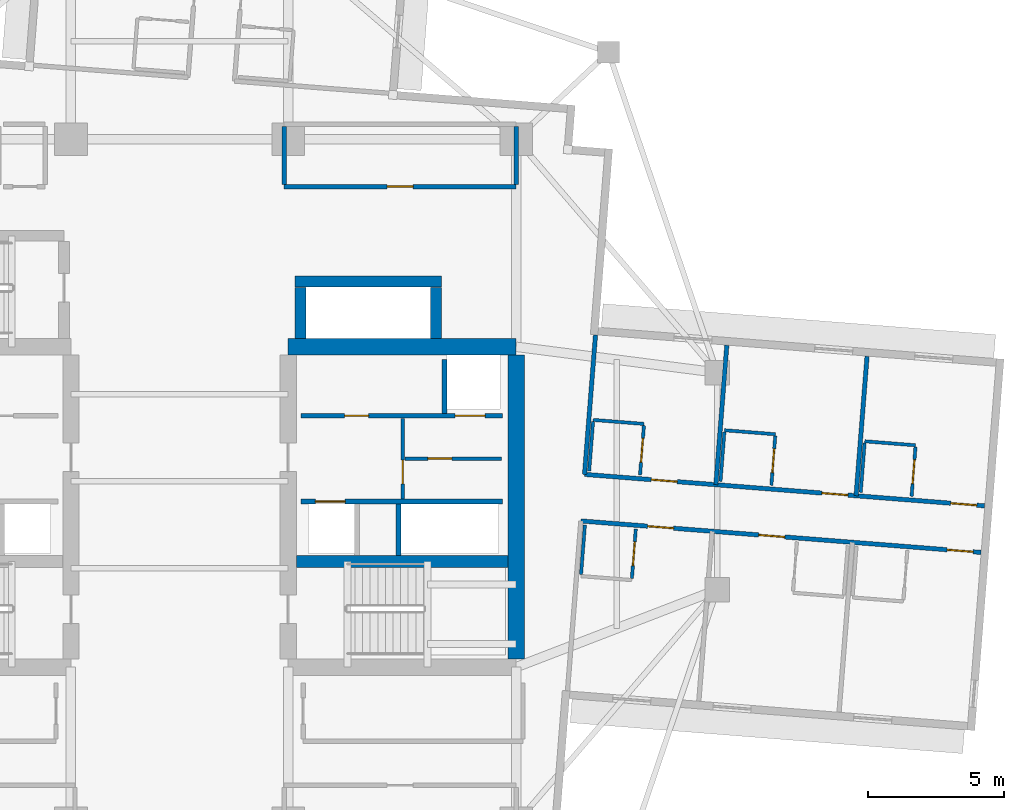
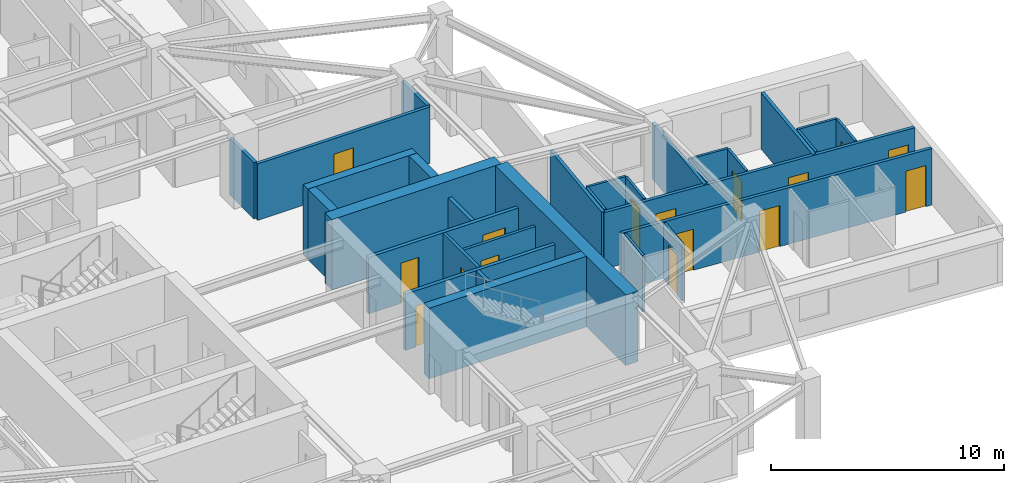
# One storey, part 7 of 14: 31 walls, 16 doors, 16 openings.
"""IFC4 building model written with IfcOpenShell, lengths in metres."""

from ifc_helpers import new_model, si_unit, direction, frame, frame_2d, origin, place, context, subcontext, project, spatial, rectangle, extrude, material, layer, layer_set, type_object, element, fill, save


model = new_model("IFC4")

# Units and contexts
model_context = context("Model", 3, precision=1e-05, world=origin(), true_north=direction((0.0, 1.0)))
body_context = subcontext(model_context, "Body", "Model", "MODEL_VIEW")
ifc_project = project(units=[si_unit("LENGTHUNIT", "METRE"), si_unit("AREAUNIT", "SQUARE_METRE"), si_unit("VOLUMEUNIT", "CUBIC_METRE"), si_unit("PLANEANGLEUNIT", "RADIAN"), si_unit("MASSUNIT", "GRAM", prefix="KILO")], contexts=[model_context])

# Site, building, storey
site_placement = place(None, origin())
site = spatial("IfcSite", under=ifc_project, at=site_placement, CompositionType="ELEMENT")
building_placement = place(site_placement, origin())
building = spatial("IfcBuilding", under=site, at=building_placement, Name="Qingluan Cross Belvedere", CompositionType="ELEMENT")
storey_placement = place(building_placement, frame((0.0, 0.0, 164.39990234375)))
storey = spatial("IfcBuildingStorey", under=building, at=storey_placement, Name="L41", CompositionType="ELEMENT", Elevation=164.39990234375)

# Walls
ifc_material_1 = material(Name="Concrete C50", Category="concrete")
ifc_layer_1 = layer(ifc_material_1, 0.449951171875, Name="CoreShearWall_450")
ifc_layer_set_1 = layer_set([ifc_layer_1], Name="Concrete C50")
wall_type_1 = type_object("IfcWallType", Name="CoreShearWall_450", PredefinedType="SHEAR", material=ifc_layer_set_1)
wall_1_placement = place(storey_placement, frame((4.304931640625, -2.9599609375, 0.0), z_axis=(0.0, 0.0, 1.0), x_axis=(1.0, 0.0, 0.0)))
element("IfcWall", 1, at=wall_1_placement, inside=storey, type_object=wall_type_1, Name="Split core E shear wall L41-M", PredefinedType="SHEAR", context=body_context, shape_type="SweptSolid", body=[
    extrude(rectangle(XDim=7.7900390625, YDim=0.449951171875, at=frame_2d((3.89501953125, 0.0))), origin(), (0.0, 0.0, 1.0), 3.7001953125),
])
wall_2_placement = place(storey_placement, frame((4.449951171875, 5.2548828125, 0.0), z_axis=(0.0, 0.0, 1.0), x_axis=(0.0, 1.0, 0.0)))
element("IfcWall", 2, at=wall_2_placement, inside=storey, type_object=wall_type_1, Name="Express shuttle core wall L41-W", PredefinedType="SHEAR", context=body_context, shape_type="SweptSolid", body=[
    extrude(rectangle(XDim=1.885009765625, YDim=0.39990234375, at=frame_2d((0.9423828125, 0.0))), origin(), (0.0, 0.0, 1.0), 3.7001953125),
])
wall_3_placement = place(storey_placement, frame((4.25, 7.35009765625, 0.0), z_axis=(0.0, 0.0, 1.0), x_axis=(1.0, 0.0, 0.0)))
element("IfcWall", 3, at=wall_3_placement, inside=storey, type_object=wall_type_1, Name="Express shuttle core wall L41-N", PredefinedType="SHEAR", context=body_context, shape_type="SweptSolid", body=[
    extrude(rectangle(XDim=5.39990234375, YDim=0.39990234375, at=frame_2d((2.699951171875, 0.0))), origin(), (0.0, 0.0, 1.0), 3.7001953125),
])
wall_4_placement = place(storey_placement, frame((9.449951171875, 5.2548828125, 0.0), z_axis=(0.0, 0.0, 1.0), x_axis=(0.0, 1.0, 0.0)))
element("IfcWall", 4, at=wall_4_placement, inside=storey, type_object=wall_type_1, Name="Express shuttle core wall L41-E", PredefinedType="SHEAR", context=body_context, shape_type="SweptSolid", body=[
    extrude(rectangle(XDim=1.885009765625, YDim=0.39990234375, at=frame_2d((0.9423828125, 0.0))), origin(), (0.0, 0.0, 1.0), 3.7001953125),
])
ifc_material_2 = material(Name="Concrete C60", Category="concrete")
ifc_layer_2 = layer(ifc_material_2, 0.60009765625, Name="CoreShearWall_600")
ifc_layer_set_2 = layer_set([ifc_layer_2], Name="Concrete C60")
wall_type_2 = type_object("IfcWallType", Name="CoreShearWall_600", PredefinedType="SHEAR", material=ifc_layer_set_2)
wall_5_placement = place(storey_placement, frame((4.0, 4.949951171875, 0.0), z_axis=(0.0, 0.0, 1.0), x_axis=(1.0, 0.0, 0.0)))
element("IfcWall", 5, at=wall_5_placement, inside=storey, type_object=wall_type_2, Name="Split core E shear wall L41-N", PredefinedType="SHEAR", context=body_context, shape_type="SweptSolid", body=[
    extrude(rectangle(XDim=8.39990234375, YDim=0.60009765625, at=frame_2d((4.199951171875, 0.0))), origin(), (0.0, 0.0, 1.0), 3.7001953125),
])
wall_6_placement = place(storey_placement, frame((12.39990234375, -6.544921875, 0.0), z_axis=(0.0, 0.0, 1.0), x_axis=(0.0, 1.0, 0.0)))
element("IfcWall", 6, at=wall_6_placement, inside=storey, type_object=wall_type_2, Name="Split core E shear wall L41-E", PredefinedType="SHEAR", context=body_context, shape_type="SweptSolid", body=[
    extrude(rectangle(XDim=11.18994140625, YDim=0.60009765625, at=frame_2d((5.594970703125, 0.0))), origin(), (0.0, 0.0, 1.0), 3.7001953125),
])

# Wall, opening, door
ifc_material_3 = material(Name="Gypsum plasterboard on steel stud acoustic partition", Category="steel")
ifc_layer_3 = layer(ifc_material_3, 0.159912109375, Name="CorridorPartition_160")
ifc_layer_set_3 = layer_set([ifc_layer_3], Name="Gypsum plasterboard on steel stud acoustic partition")
wall_type_3 = type_object("IfcWallType", Name="CorridorPartition_160", PredefinedType="PARTITIONING", material=ifc_layer_set_3)
wall_7_placement = place(storey_placement, frame((8.298095703125, 0.830078125, 0.0), z_axis=(0.0, 0.0, 1.0), x_axis=(1.0, 0.0, 0.0)))
wall_7 = element("IfcWall", 7, at=wall_7_placement, inside=storey, type_object=wall_type_3, Name="Partition L41:e", PredefinedType="PARTITIONING", context=body_context, shape_type="SweptSolid", body=[
    extrude(rectangle(XDim=3.552001953125, YDim=0.139892578125, at=frame_2d((1.77587890625, 0.0))), origin(), (0.0, 0.0, 1.0), 2.960205078125),
])
opening_1_placement = place(wall_7_placement, frame((0.85009765625, 0.0, 0.0)))
opening_1 = element("IfcOpeningElement", 8, at=opening_1_placement, cuts=wall_7, Name="Opening FD-B10", PredefinedType="OPENING", context=body_context, shape_type="SweptSolid", body=[
    extrude(rectangle(XDim=0.8798828125, YDim=2.10009765625, at=frame_2d((0.43994140625, 1.050048828125))), frame((0.0, 0.079833984375, 0.0), z_axis=(0.0, -1.0, 0.0), x_axis=(1.0, 0.0, 0.0)), (0.0, 0.0, 1.0), 0.159912109375),
])
ifc_material_4 = material(Name="Steel Class B service fire door", Category="steel")
door_type_1 = type_object("IfcDoorType", Name="RiserServiceFireDoor_FDB", OperationType="NOTDEFINED", PredefinedType="DOOR", material=ifc_material_4)
door_1_placement = place(opening_1_placement, origin())
door_1 = element("IfcDoor", 9, at=door_1_placement, inside=storey, type_object=door_type_1, Name="Service closet inner door L41", OperationType="SINGLE_SWING_LEFT", OverallHeight=2.10009765625, OverallWidth=0.8798828125, PredefinedType="DOOR", context=body_context, shape_type="SweptSolid", body=[
    extrude(rectangle(XDim=0.8798828125, YDim=2.10009765625, at=frame_2d((0.43994140625, 1.050048828125))), frame((0.0, 0.02490234375, 0.0), z_axis=(0.0, -1.0, 0.0), x_axis=(1.0, 0.0, 0.0)), (0.0, 0.0, 1.0), 0.050048828125),
])
fill(opening_1, door_1)

wall_8_placement = place(storey_placement, frame((3.85009765625, 10.85009765625, 0.0), z_axis=(0.0, 0.0, 1.0), x_axis=(1.0, 0.0, 0.0)))
wall_8 = element("IfcWall", 10, at=wall_8_placement, inside=storey, type_object=wall_type_3, Name="Partition L41:q_ne:S", PredefinedType="PARTITIONING", context=body_context, shape_type="SweptSolid", body=[
    extrude(rectangle(XDim=8.5498046875, YDim=0.159912109375, at=frame_2d((4.27490234375, 0.0))), origin(), (0.0, 0.0, 1.0), 2.960205078125),
])
opening_2_placement = place(wall_8_placement, frame((3.794921875, 0.0, 0.0)))
opening_2 = element("IfcOpeningElement", 11, at=opening_2_placement, cuts=wall_8, Name="Opening GD-10", PredefinedType="OPENING", context=body_context, shape_type="SweptSolid", body=[
    extrude(rectangle(XDim=0.9599609375, YDim=2.14990234375, at=frame_2d((0.47998046875, 1.074951171875))), frame((0.0, 0.08984375, 0.0), z_axis=(0.0, -1.0, 0.0), x_axis=(1.0, 0.0, 0.0)), (0.0, 0.0, 1.0), 0.179931640625),
])
ifc_material_5 = material(Name="Timber oak fire-rated acoustic guestroom door", Category="wood")
door_type_2 = type_object("IfcDoorType", Name="GuestEntryDoor_FD60", OperationType="NOTDEFINED", PredefinedType="DOOR", material=ifc_material_5)
door_2_placement = place(opening_2_placement, origin())
door_2 = element("IfcDoor", 12, at=door_2_placement, inside=storey, type_object=door_type_2, Name="Yangtze view dining salon L41 door", OperationType="SINGLE_SWING_LEFT", OverallHeight=2.14990234375, OverallWidth=0.9599609375, PredefinedType="DOOR", context=body_context, shape_type="SweptSolid", body=[
    extrude(rectangle(XDim=0.9599609375, YDim=2.14990234375, at=frame_2d((0.47998046875, 1.074951171875))), frame((0.0, 0.02490234375, 0.0), z_axis=(0.0, -1.0, 0.0), x_axis=(1.0, 0.0, 0.0)), (0.0, 0.0, 1.0), 0.050048828125),
])
fill(opening_2, door_2)

# Walls
for number, where, z_axis, x_axis, name in (
    (13, (3.85009765625, 10.93505859375, 0.0), (0.0, 0.0, 1.0), (0.0, 1.0, 0.0), "Partition L41:q_ne:W"),
    (14, (12.39990234375, 10.93505859375, 0.0), (0.0, 0.0, 1.0), (0.0, 1.0, 0.0), "Partition L41:q_ne:E"),
):
    element("IfcWall", number, at=place(storey_placement, frame(where, z_axis=z_axis, x_axis=x_axis)), inside=storey, type_object=wall_type_3, Name=name, PredefinedType="PARTITIONING", context=body_context, shape_type="SweptSolid", body=[
        extrude(rectangle(XDim=2.1298828125, YDim=0.159912109375, at=frame_2d((1.06494140625, 0.0))), origin(), (0.0, 0.0, 1.0), 2.960205078125),
    ])

# Wall, openings, doors
wall_9_placement = place(storey_placement, frame((14.91552734375, 0.25048828125, 0.0), z_axis=(0.0, 0.0, 1.0), x_axis=(0.996917997344, -0.078450663299, 0.0)))
wall_9 = element("IfcWall", 15, at=wall_9_placement, inside=storey, type_object=wall_type_3, Name="Partition L41:E:c0", PredefinedType="PARTITIONING", context=body_context, shape_type="SweptSolid", body=[
    extrude(rectangle(XDim=14.7822265625, YDim=0.159912109375, at=frame_2d((7.39111328125, 0.0))), origin(), (0.0, 0.0, 1.0), 2.960205078125),
])
opening_3_placement = place(wall_9_placement, frame((2.465087890625, 0.0, 0.0)))
opening_3 = element("IfcOpeningElement", 16, at=opening_3_placement, cuts=wall_9, Name="Opening GD-10", PredefinedType="OPENING", context=body_context, shape_type="SweptSolid", body=[
    extrude(rectangle(XDim=0.9599609375, YDim=2.14990234375, at=frame_2d((0.47998046875, 1.074951171875))), frame((0.0, 0.08984375, 0.0), z_axis=(0.0, -1.0, 0.0), x_axis=(1.0, 0.0, 0.0)), (0.0, 0.0, 1.0), 0.179931640625),
])
opening_4_placement = place(wall_9_placement, frame((8.77294921875, 0.0, 0.0)))
opening_4 = element("IfcOpeningElement", 17, at=opening_4_placement, cuts=wall_9, Name="Opening GD-10", PredefinedType="OPENING", context=body_context, shape_type="SweptSolid", body=[
    extrude(rectangle(XDim=0.9599609375, YDim=2.14990234375, at=frame_2d((0.47998046875, 1.074951171875))), frame((0.0, 0.08984375, 0.0), z_axis=(0.0, -1.0, 0.0), x_axis=(1.0, 0.0, 0.0)), (0.0, 0.0, 1.0), 0.179931640625),
])
opening_5_placement = place(wall_9_placement, frame((13.530029296875, 0.0, 0.0)))
opening_5 = element("IfcOpeningElement", 18, at=opening_5_placement, cuts=wall_9, Name="Opening GD-10", PredefinedType="OPENING", context=body_context, shape_type="SweptSolid", body=[
    extrude(rectangle(XDim=0.9599609375, YDim=2.14990234375, at=frame_2d((0.47998046875, 1.074951171875))), frame((0.0, 0.08984375, 0.0), z_axis=(0.0, -1.0, 0.0), x_axis=(1.0, 0.0, 0.0)), (0.0, 0.0, 1.0), 0.179931640625),
])
door_3_placement = place(opening_3_placement, origin())
door_3 = element("IfcDoor", 19, at=door_3_placement, inside=storey, type_object=door_type_2, Name="Guest entry fire door 4101", OperationType="SINGLE_SWING_RIGHT", OverallHeight=2.14990234375, OverallWidth=0.9599609375, PredefinedType="DOOR", context=body_context, shape_type="SweptSolid", body=[
    extrude(rectangle(XDim=0.9599609375, YDim=2.14990234375, at=frame_2d((0.47998046875, 1.074951171875))), frame((0.0, 0.02490234375, 0.0), z_axis=(0.0, -1.0, 0.0), x_axis=(1.0, 0.0, 0.0)), (0.0, 0.0, 1.0), 0.050048828125),
])
fill(opening_3, door_3)
door_4_placement = place(opening_4_placement, origin())
door_4 = element("IfcDoor", 20, at=door_4_placement, inside=storey, type_object=door_type_2, Name="Guest entry fire door 4102", OperationType="SINGLE_SWING_RIGHT", OverallHeight=2.14990234375, OverallWidth=0.9599609375, PredefinedType="DOOR", context=body_context, shape_type="SweptSolid", body=[
    extrude(rectangle(XDim=0.9599609375, YDim=2.14990234375, at=frame_2d((0.47998046875, 1.074951171875))), frame((0.0, 0.02490234375, 0.0), z_axis=(0.0, -1.0, 0.0), x_axis=(1.0, 0.0, 0.0)), (0.0, 0.0, 1.0), 0.050048828125),
])
fill(opening_4, door_4)
door_5_placement = place(opening_5_placement, origin())
door_5 = element("IfcDoor", 21, at=door_5_placement, inside=storey, type_object=door_type_2, Name="Guest entry fire door 4103", OperationType="SINGLE_SWING_RIGHT", OverallHeight=2.14990234375, OverallWidth=0.9599609375, PredefinedType="DOOR", context=body_context, shape_type="SweptSolid", body=[
    extrude(rectangle(XDim=0.9599609375, YDim=2.14990234375, at=frame_2d((0.47998046875, 1.074951171875))), frame((0.0, 0.02490234375, 0.0), z_axis=(0.0, -1.0, 0.0), x_axis=(1.0, 0.0, 0.0)), (0.0, 0.0, 1.0), 0.050048828125),
])
fill(opening_5, door_5)

# Walls
for number, where, z_axis, x_axis, name in (
    (22, (14.91552734375, 0.25048828125, 0.0), (0.0, 0.0, 1.0), (0.078471975752, 0.99691631997, 0.0), "Partition L41:E:s0"),
    (23, (19.752685546875, -0.130126953125, 0.0), (0.0, 0.0, 1.0), (0.078471975752, 0.99691631997, 0.0), "Partition L41:E:d0_0"),
    (24, (24.917724609375, -0.53662109375, 0.0), (0.0, 0.0, 1.0), (0.078471975752, 0.99691631997, 0.0), "Partition L41:E:d0_1"),
):
    element("IfcWall", number, at=place(storey_placement, frame(where, z_axis=z_axis, x_axis=x_axis)), inside=storey, type_object=wall_type_3, Name=name, PredefinedType="PARTITIONING", context=body_context, shape_type="SweptSolid", body=[
        extrude(rectangle(XDim=5.152099609375, YDim=0.159912109375, at=frame_2d((2.576171875, 0.0))), origin(), (0.0, 0.0, 1.0), 2.960205078125),
    ])

# Wall, openings, doors
wall_10_placement = place(storey_placement, frame((14.78076171875, -1.464111328125, 0.0), z_axis=(0.0, 0.0, 1.0), x_axis=(0.996916603826, -0.078468369529, 0.0)))
wall_10 = element("IfcWall", 25, at=wall_10_placement, inside=storey, type_object=wall_type_3, Name="Partition L41:E:c1", PredefinedType="PARTITIONING", context=body_context, shape_type="SweptSolid", body=[
    extrude(rectangle(XDim=14.781982421875, YDim=0.159912109375, at=frame_2d((7.39111328125, 0.0))), origin(), (0.0, 0.0, 1.0), 2.960205078125),
])
opening_6_placement = place(wall_10_placement, frame((2.465087890625, 0.0, 0.0)))
opening_6 = element("IfcOpeningElement", 26, at=opening_6_placement, cuts=wall_10, Name="Opening GD-10", PredefinedType="OPENING", context=body_context, shape_type="SweptSolid", body=[
    extrude(rectangle(XDim=0.9599609375, YDim=2.14990234375, at=frame_2d((0.47998046875, 1.074951171875))), frame((0.0, 0.08984375, 0.0), z_axis=(0.0, -1.0, 0.0), x_axis=(1.0, 0.0, 0.0)), (0.0, 0.0, 1.0), 0.179931640625),
])
opening_7_placement = place(wall_10_placement, frame((6.574951171875, 0.0, 0.0)))
opening_7 = element("IfcOpeningElement", 27, at=opening_7_placement, cuts=wall_10, Name="Opening GD-10", PredefinedType="OPENING", context=body_context, shape_type="SweptSolid", body=[
    extrude(rectangle(XDim=0.9599609375, YDim=2.14990234375, at=frame_2d((0.47998046875, 1.074951171875))), frame((0.0, 0.08984375, 0.0), z_axis=(0.0, -1.0, 0.0), x_axis=(1.0, 0.0, 0.0)), (0.0, 0.0, 1.0), 0.179931640625),
])
opening_8_placement = place(wall_10_placement, frame((13.530029296875, 0.0, 0.0)))
opening_8 = element("IfcOpeningElement", 28, at=opening_8_placement, cuts=wall_10, Name="Opening GD-10", PredefinedType="OPENING", context=body_context, shape_type="SweptSolid", body=[
    extrude(rectangle(XDim=0.9599609375, YDim=2.14990234375, at=frame_2d((0.47998046875, 1.074951171875))), frame((0.0, 0.08984375, 0.0), z_axis=(0.0, -1.0, 0.0), x_axis=(1.0, 0.0, 0.0)), (0.0, 0.0, 1.0), 0.179931640625),
])
door_6_placement = place(opening_6_placement, origin())
door_6 = element("IfcDoor", 29, at=door_6_placement, inside=storey, type_object=door_type_2, Name="Guest entry fire door 4104", OperationType="SINGLE_SWING_RIGHT", OverallHeight=2.14990234375, OverallWidth=0.9599609375, PredefinedType="DOOR", context=body_context, shape_type="SweptSolid", body=[
    extrude(rectangle(XDim=0.9599609375, YDim=2.14990234375, at=frame_2d((0.47998046875, 1.074951171875))), frame((0.0, 0.02490234375, 0.0), z_axis=(0.0, -1.0, 0.0), x_axis=(1.0, 0.0, 0.0)), (0.0, 0.0, 1.0), 0.050048828125),
])
fill(opening_6, door_6)
door_7_placement = place(opening_7_placement, origin())
door_7 = element("IfcDoor", 30, at=door_7_placement, inside=storey, type_object=door_type_2, Name="Guest entry fire door 4105", OperationType="SINGLE_SWING_RIGHT", OverallHeight=2.14990234375, OverallWidth=0.9599609375, PredefinedType="DOOR", context=body_context, shape_type="SweptSolid", body=[
    extrude(rectangle(XDim=0.9599609375, YDim=2.14990234375, at=frame_2d((0.47998046875, 1.074951171875))), frame((0.0, 0.02490234375, 0.0), z_axis=(0.0, -1.0, 0.0), x_axis=(1.0, 0.0, 0.0)), (0.0, 0.0, 1.0), 0.050048828125),
])
fill(opening_7, door_7)
door_8_placement = place(opening_8_placement, origin())
door_8 = element("IfcDoor", 31, at=door_8_placement, inside=storey, type_object=door_type_2, Name="Guest entry fire door 4106", OperationType="SINGLE_SWING_RIGHT", OverallHeight=2.14990234375, OverallWidth=0.9599609375, PredefinedType="DOOR", context=body_context, shape_type="SweptSolid", body=[
    extrude(rectangle(XDim=0.9599609375, YDim=2.14990234375, at=frame_2d((0.47998046875, 1.074951171875))), frame((0.0, 0.02490234375, 0.0), z_axis=(0.0, -1.0, 0.0), x_axis=(1.0, 0.0, 0.0)), (0.0, 0.0, 1.0), 0.050048828125),
])
fill(opening_8, door_8)

# Wall, opening, door
ifc_material_6 = material(Name="Moisture-resistant gypsum board lining")
ifc_layer_4 = layer(ifc_material_6, 0.1201171875, Name="EnsuiteWetPartition_120")
ifc_layer_set_4 = layer_set([ifc_layer_4], Name="Moisture-resistant gypsum board lining")
wall_type_4 = type_object("IfcWallType", Name="EnsuiteWetPartition_120", PredefinedType="PARTITIONING", material=ifc_layer_set_4)
wall_11_placement = place(storey_placement, frame((16.960205078125, 0.22998046875, 0.0), z_axis=(0.0, 0.0, 1.0), x_axis=(0.0784709492, 0.996916400774, 0.0)))
wall_11 = element("IfcWall", 32, at=wall_11_placement, inside=storey, type_object=wall_type_4, Name="Partition L41:E:bs0_0", PredefinedType="PARTITIONING", context=body_context, shape_type="SweptSolid", body=[
    extrude(rectangle(XDim=1.820068359375, YDim=0.1201171875, at=frame_2d((0.91015625, 0.0))), origin(), (0.0, 0.0, 1.0), 2.960205078125),
])
opening_9_placement = place(wall_11_placement, frame((0.469970703125, 0.0, 0.0)))
opening_9 = element("IfcOpeningElement", 33, at=opening_9_placement, cuts=wall_11, Name="Opening BD-09", PredefinedType="OPENING", context=body_context, shape_type="SweptSolid", body=[
    extrude(rectangle(XDim=0.8798828125, YDim=2.10009765625, at=frame_2d((0.43994140625, 1.050048828125))), frame((0.0, 0.070068359375, 0.0), z_axis=(0.0, -1.0, 0.0), x_axis=(1.0, 0.0, 0.0)), (0.0, 0.0, 1.0), 0.14013671875),
])
ifc_material_7 = material(Name="Moisture-sealed timber en-suite door", Category="wood")
door_type_3 = type_object("IfcDoorType", Name="BathroomDoor_880", OperationType="NOTDEFINED", PredefinedType="DOOR", material=ifc_material_7)
door_9_placement = place(opening_9_placement, origin())
door_9 = element("IfcDoor", 34, at=door_9_placement, inside=storey, type_object=door_type_3, Name="Bathroom door 4101", OperationType="SINGLE_SWING_LEFT", OverallHeight=2.10009765625, OverallWidth=0.8798828125, PredefinedType="DOOR", context=body_context, shape_type="SweptSolid", body=[
    extrude(rectangle(XDim=0.8798828125, YDim=2.10009765625, at=frame_2d((0.43994140625, 1.050048828125))), frame((0.0, 0.02490234375, 0.0), z_axis=(0.0, -1.0, 0.0), x_axis=(1.0, 0.0, 0.0)), (0.0, 0.0, 1.0), 0.050048828125),
])
fill(opening_9, door_9)

# Walls
wall_12_placement = place(storey_placement, frame((15.086181640625, 0.37744140625, 0.0), z_axis=(0.0, 0.0, 1.0), x_axis=(0.0784709492, 0.996916400774, 0.0)))
element("IfcWall", 35, at=wall_12_placement, inside=storey, type_object=wall_type_4, Name="Partition L41:E:bw0_0", PredefinedType="PARTITIONING", context=body_context, shape_type="SweptSolid", body=[
    extrude(rectangle(XDim=1.820068359375, YDim=0.1201171875, at=frame_2d((0.91015625, 0.0))), origin(), (0.0, 0.0, 1.0), 2.960205078125),
])
wall_13_placement = place(storey_placement, frame((15.23388671875, 2.256591796875, 0.0), z_axis=(0.0, 0.0, 1.0), x_axis=(0.996919293781, -0.07843418698, 0.0)))
element("IfcWall", 36, at=wall_13_placement, inside=storey, type_object=wall_type_4, Name="Partition L41:E:bn0_0", PredefinedType="PARTITIONING", context=body_context, shape_type="SweptSolid", body=[
    extrude(rectangle(XDim=1.880126953125, YDim=0.1201171875, at=frame_2d((0.93994140625, 0.0))), origin(), (0.0, 0.0, 1.0), 2.960205078125),
])

# Wall, opening, door
wall_14_placement = place(storey_placement, frame((21.79736328125, -0.150634765625, 0.0), z_axis=(0.0, 0.0, 1.0), x_axis=(0.0784709492, 0.996916400774, 0.0)))
wall_14 = element("IfcWall", 37, at=wall_14_placement, inside=storey, type_object=wall_type_4, Name="Partition L41:E:bs0_1", PredefinedType="PARTITIONING", context=body_context, shape_type="SweptSolid", body=[
    extrude(rectangle(XDim=1.820068359375, YDim=0.1201171875, at=frame_2d((0.91015625, 0.0))), origin(), (0.0, 0.0, 1.0), 2.960205078125),
])
opening_10_placement = place(wall_14_placement, frame((0.469970703125, 0.0, 0.0)))
opening_10 = element("IfcOpeningElement", 38, at=opening_10_placement, cuts=wall_14, Name="Opening BD-09", PredefinedType="OPENING", context=body_context, shape_type="SweptSolid", body=[
    extrude(rectangle(XDim=0.8798828125, YDim=2.10009765625, at=frame_2d((0.43994140625, 1.050048828125))), frame((0.0, 0.070068359375, 0.0), z_axis=(0.0, -1.0, 0.0), x_axis=(1.0, 0.0, 0.0)), (0.0, 0.0, 1.0), 0.14013671875),
])
door_10_placement = place(opening_10_placement, origin())
door_10 = element("IfcDoor", 39, at=door_10_placement, inside=storey, type_object=door_type_3, Name="Bathroom door 4102", OperationType="SINGLE_SWING_LEFT", OverallHeight=2.10009765625, OverallWidth=0.8798828125, PredefinedType="DOOR", context=body_context, shape_type="SweptSolid", body=[
    extrude(rectangle(XDim=0.8798828125, YDim=2.10009765625, at=frame_2d((0.43994140625, 1.050048828125))), frame((0.0, 0.02490234375, 0.0), z_axis=(0.0, -1.0, 0.0), x_axis=(1.0, 0.0, 0.0)), (0.0, 0.0, 1.0), 0.050048828125),
])
fill(opening_10, door_10)

# Walls
wall_15_placement = place(storey_placement, frame((19.923095703125, -0.003173828125, 0.0), z_axis=(0.0, 0.0, 1.0), x_axis=(0.0784709492, 0.996916400774, 0.0)))
element("IfcWall", 40, at=wall_15_placement, inside=storey, type_object=wall_type_4, Name="Partition L41:E:bw0_1", PredefinedType="PARTITIONING", context=body_context, shape_type="SweptSolid", body=[
    extrude(rectangle(XDim=1.820068359375, YDim=0.1201171875, at=frame_2d((0.91015625, 0.0))), origin(), (0.0, 0.0, 1.0), 2.960205078125),
])
wall_16_placement = place(storey_placement, frame((20.071044921875, 1.8759765625, 0.0), z_axis=(0.0, 0.0, 1.0), x_axis=(0.996919293781, -0.07843418698, 0.0)))
element("IfcWall", 41, at=wall_16_placement, inside=storey, type_object=wall_type_4, Name="Partition L41:E:bn0_1", PredefinedType="PARTITIONING", context=body_context, shape_type="SweptSolid", body=[
    extrude(rectangle(XDim=1.880126953125, YDim=0.1201171875, at=frame_2d((0.93994140625, 0.0))), origin(), (0.0, 0.0, 1.0), 2.960205078125),
])

# Wall, opening, door
wall_17_placement = place(storey_placement, frame((26.96240234375, -0.55712890625, 0.0), z_axis=(0.0, 0.0, 1.0), x_axis=(0.078481444107, 0.996915574626, 0.0)))
wall_17 = element("IfcWall", 42, at=wall_17_placement, inside=storey, type_object=wall_type_4, Name="Partition L41:E:bs0_2", PredefinedType="PARTITIONING", context=body_context, shape_type="SweptSolid", body=[
    extrude(rectangle(XDim=1.81982421875, YDim=0.1201171875, at=frame_2d((0.909912109375, 0.0))), origin(), (0.0, 0.0, 1.0), 2.960205078125),
])
opening_11_placement = place(wall_17_placement, frame((0.469970703125, 0.0, 0.0)))
opening_11 = element("IfcOpeningElement", 43, at=opening_11_placement, cuts=wall_17, Name="Opening BD-09", PredefinedType="OPENING", context=body_context, shape_type="SweptSolid", body=[
    extrude(rectangle(XDim=0.8798828125, YDim=2.10009765625, at=frame_2d((0.43994140625, 1.050048828125))), frame((0.0, 0.070068359375, 0.0), z_axis=(0.0, -1.0, 0.0), x_axis=(1.0, 0.0, 0.0)), (0.0, 0.0, 1.0), 0.14013671875),
])
door_11_placement = place(opening_11_placement, origin())
door_11 = element("IfcDoor", 44, at=door_11_placement, inside=storey, type_object=door_type_3, Name="Bathroom door 4103", OperationType="SINGLE_SWING_LEFT", OverallHeight=2.10009765625, OverallWidth=0.8798828125, PredefinedType="DOOR", context=body_context, shape_type="SweptSolid", body=[
    extrude(rectangle(XDim=0.8798828125, YDim=2.10009765625, at=frame_2d((0.43994140625, 1.050048828125))), frame((0.0, 0.02490234375, 0.0), z_axis=(0.0, -1.0, 0.0), x_axis=(1.0, 0.0, 0.0)), (0.0, 0.0, 1.0), 0.050048828125),
])
fill(opening_11, door_11)

# Walls
wall_18_placement = place(storey_placement, frame((25.088134765625, -0.40966796875, 0.0), z_axis=(0.0, 0.0, 1.0), x_axis=(0.0784709492, 0.996916400774, 0.0)))
element("IfcWall", 45, at=wall_18_placement, inside=storey, type_object=wall_type_4, Name="Partition L41:E:bw0_2", PredefinedType="PARTITIONING", context=body_context, shape_type="SweptSolid", body=[
    extrude(rectangle(XDim=1.820068359375, YDim=0.1201171875, at=frame_2d((0.91015625, 0.0))), origin(), (0.0, 0.0, 1.0), 2.960205078125),
])
wall_19_placement = place(storey_placement, frame((25.236083984375, 1.469482421875, 0.0), z_axis=(0.0, 0.0, 1.0), x_axis=(0.996919293781, -0.07843418698, 0.0)))
element("IfcWall", 46, at=wall_19_placement, inside=storey, type_object=wall_type_4, Name="Partition L41:E:bn0_2", PredefinedType="PARTITIONING", context=body_context, shape_type="SweptSolid", body=[
    extrude(rectangle(XDim=1.880126953125, YDim=0.1201171875, at=frame_2d((0.93994140625, 0.0))), origin(), (0.0, 0.0, 1.0), 2.960205078125),
])

# Wall, opening, door
wall_20_placement = place(storey_placement, frame((16.66064453125, -3.578125, 0.0), z_axis=(0.0, 0.0, 1.0), x_axis=(0.078481444107, 0.996915574626, 0.0)))
wall_20 = element("IfcWall", 47, at=wall_20_placement, inside=storey, type_object=wall_type_4, Name="Partition L41:E:bs1_0", PredefinedType="PARTITIONING", context=body_context, shape_type="SweptSolid", body=[
    extrude(rectangle(XDim=1.81982421875, YDim=0.1201171875, at=frame_2d((0.909912109375, 0.0))), origin(), (0.0, 0.0, 1.0), 2.960205078125),
])
opening_12_placement = place(wall_20_placement, frame((0.469970703125, 0.0, 0.0)))
opening_12 = element("IfcOpeningElement", 48, at=opening_12_placement, cuts=wall_20, Name="Opening BD-09", PredefinedType="OPENING", context=body_context, shape_type="SweptSolid", body=[
    extrude(rectangle(XDim=0.8798828125, YDim=2.10009765625, at=frame_2d((0.43994140625, 1.050048828125))), frame((0.0, 0.070068359375, 0.0), z_axis=(0.0, -1.0, 0.0), x_axis=(1.0, 0.0, 0.0)), (0.0, 0.0, 1.0), 0.14013671875),
])
door_12_placement = place(opening_12_placement, origin())
door_12 = element("IfcDoor", 49, at=door_12_placement, inside=storey, type_object=door_type_3, Name="Bathroom door 4104", OperationType="SINGLE_SWING_LEFT", OverallHeight=2.10009765625, OverallWidth=0.8798828125, PredefinedType="DOOR", context=body_context, shape_type="SweptSolid", body=[
    extrude(rectangle(XDim=0.8798828125, YDim=2.10009765625, at=frame_2d((0.43994140625, 1.050048828125))), frame((0.0, 0.02490234375, 0.0), z_axis=(0.0, -1.0, 0.0), x_axis=(1.0, 0.0, 0.0)), (0.0, 0.0, 1.0), 0.050048828125),
])
fill(opening_12, door_12)

# Wall
wall_21_placement = place(storey_placement, frame((14.786376953125, -3.4306640625, 0.0), z_axis=(0.0, 0.0, 1.0), x_axis=(0.0784709492, 0.996916400774, 0.0)))
element("IfcWall", 50, at=wall_21_placement, inside=storey, type_object=wall_type_4, Name="Partition L41:E:bw1_0", PredefinedType="PARTITIONING", context=body_context, shape_type="SweptSolid", body=[
    extrude(rectangle(XDim=1.820068359375, YDim=0.1201171875, at=frame_2d((0.91015625, 0.0))), origin(), (0.0, 0.0, 1.0), 2.960205078125),
])

# Wall, openings, doors
ifc_material_8 = material(Name="Concrete C40", Category="concrete")
ifc_layer_5 = layer(ifc_material_8, 0.219970703125, Name="ShaftEnclosureWall_250")
ifc_layer_set_5 = layer_set([ifc_layer_5], Name="Concrete C40")
wall_type_5 = type_object("IfcWallType", Name="ShaftEnclosureWall_250", PredefinedType="SOLIDWALL", material=ifc_layer_set_5)
wall_22_placement = place(storey_placement, frame((4.47998046875, 2.409912109375, 0.0), z_axis=(0.0, 0.0, 1.0), x_axis=(1.0, 0.0, 0.0)))
wall_22 = element("IfcWall", 51, at=wall_22_placement, inside=storey, type_object=wall_type_5, Name="Core-E north hoistway wall L41", PredefinedType="SOLIDWALL", context=body_context, shape_type="SweptSolid", body=[
    extrude(rectangle(XDim=7.419921875, YDim=0.179931640625, at=frame_2d((3.7099609375, 0.0))), origin(), (0.0, 0.0, 1.0), 2.960205078125),
])
opening_13_placement = place(wall_22_placement, frame((5.669921875, 0.0, 0.0)))
opening_13 = element("IfcOpeningElement", 52, at=opening_13_placement, cuts=wall_22, Name="Opening LD-11", PredefinedType="OPENING", context=body_context, shape_type="SweptSolid", body=[
    extrude(rectangle(XDim=1.10009765625, YDim=2.14990234375, at=frame_2d((0.550048828125, 1.074951171875))), frame((0.0, 0.099853515625, 0.0), z_axis=(0.0, -1.0, 0.0), x_axis=(1.0, 0.0, 0.0)), (0.0, 0.0, 1.0), 0.199951171875),
])
opening_14_placement = place(wall_22_placement, frame((1.60009765625, 0.0, 0.0)))
opening_14 = element("IfcOpeningElement", 53, at=opening_14_placement, cuts=wall_22, Name="Opening FD-B10", PredefinedType="OPENING", context=body_context, shape_type="SweptSolid", body=[
    extrude(rectangle(XDim=0.8798828125, YDim=2.10009765625, at=frame_2d((0.43994140625, 1.050048828125))), frame((0.0, 0.099853515625, 0.0), z_axis=(0.0, -1.0, 0.0), x_axis=(1.0, 0.0, 0.0)), (0.0, 0.0, 1.0), 0.199951171875),
])
ifc_material_9 = material(Name="Brushed stainless steel centre-opening lift landing door", Category="steel")
door_type_4 = type_object("IfcDoorType", Name="LiftLandingSlidingDoor_1100", OperationType="DOUBLE_DOOR_SLIDING", PredefinedType="DOOR", material=ifc_material_9)
door_13_placement = place(opening_13_placement, origin())
door_13 = element("IfcDoor", 54, at=door_13_placement, inside=storey, type_object=door_type_4, Name="Lift landing sliding door FL2 L41", OperationType="DOUBLE_DOOR_SLIDING", OverallHeight=2.14990234375, OverallWidth=1.10009765625, PredefinedType="DOOR", context=body_context, shape_type="SweptSolid", body=[
    extrude(rectangle(XDim=1.10009765625, YDim=2.14990234375, at=frame_2d((0.550048828125, 1.074951171875))), frame((0.0, 0.02490234375, 0.0), z_axis=(0.0, -1.0, 0.0), x_axis=(1.0, 0.0, 0.0)), (0.0, 0.0, 1.0), 0.050048828125),
])
fill(opening_13, door_13)
door_14_placement = place(opening_14_placement, origin())
door_14 = element("IfcDoor", 55, at=door_14_placement, inside=storey, type_object=door_type_1, Name="Pantry room door E L41", OperationType="SINGLE_SWING_LEFT", OverallHeight=2.10009765625, OverallWidth=0.8798828125, PredefinedType="DOOR", context=body_context, shape_type="SweptSolid", body=[
    extrude(rectangle(XDim=0.8798828125, YDim=2.10009765625, at=frame_2d((0.43994140625, 1.050048828125))), frame((0.0, 0.02490234375, 0.0), z_axis=(0.0, -1.0, 0.0), x_axis=(1.0, 0.0, 0.0)), (0.0, 0.0, 1.0), 0.050048828125),
])
fill(opening_14, door_14)

# Wall, opening, door
wall_23_placement = place(storey_placement, frame((4.47998046875, -0.75, 0.0), z_axis=(0.0, 0.0, 1.0), x_axis=(1.0, 0.0, 0.0)))
wall_23 = element("IfcWall", 56, at=wall_23_placement, inside=storey, type_object=wall_type_5, Name="Core-E mid hoistway wall L41", PredefinedType="SOLIDWALL", context=body_context, shape_type="SweptSolid", body=[
    extrude(rectangle(XDim=7.419921875, YDim=0.179931640625, at=frame_2d((3.7099609375, 0.0))), origin(), (0.0, 0.0, 1.0), 2.960205078125),
])
opening_15_placement = place(wall_23_placement, frame((0.52001953125, 0.0, 0.0)))
opening_15 = element("IfcOpeningElement", 57, at=opening_15_placement, cuts=wall_23, Name="Opening LD-11", PredefinedType="OPENING", context=body_context, shape_type="SweptSolid", body=[
    extrude(rectangle(XDim=1.10009765625, YDim=2.14990234375, at=frame_2d((0.550048828125, 1.074951171875))), frame((0.0, 0.099853515625, 0.0), z_axis=(0.0, -1.0, 0.0), x_axis=(1.0, 0.0, 0.0)), (0.0, 0.0, 1.0), 0.199951171875),
])
door_15_placement = place(opening_15_placement, origin())
door_15 = element("IfcDoor", 58, at=door_15_placement, inside=storey, type_object=door_type_4, Name="Lift landing sliding door LP7 L41", OperationType="DOUBLE_DOOR_SLIDING", OverallHeight=2.14990234375, OverallWidth=1.10009765625, PredefinedType="DOOR", context=body_context, shape_type="SweptSolid", body=[
    extrude(rectangle(XDim=1.10009765625, YDim=2.14990234375, at=frame_2d((0.550048828125, 1.074951171875))), frame((0.0, 0.02490234375, 0.0), z_axis=(0.0, -1.0, 0.0), x_axis=(1.0, 0.0, 0.0)), (0.0, 0.0, 1.0), 0.050048828125),
])
fill(opening_15, door_15)

# Walls
wall_24_placement = place(storey_placement, frame((9.760009765625, 2.5, 0.0), z_axis=(0.0, 0.0, 1.0), x_axis=(0.0, 1.0, 0.0)))
element("IfcWall", 59, at=wall_24_placement, inside=storey, type_object=wall_type_5, Name="Hoistway enclosure divider FL2W L41", PredefinedType="SOLIDWALL", context=body_context, shape_type="SweptSolid", body=[
    extrude(rectangle(XDim=1.989990234375, YDim=0.179931640625, at=frame_2d((0.9951171875, 0.0))), origin(), (0.0, 0.0, 1.0), 2.960205078125),
])
wall_25_placement = place(storey_placement, frame((8.06005859375, -2.72998046875, 0.0), z_axis=(0.0, 0.0, 1.0), x_axis=(0.0, 1.0, 0.0)))
element("IfcWall", 60, at=wall_25_placement, inside=storey, type_object=wall_type_5, Name="Hoistway enclosure divider LP9W L41", PredefinedType="SOLIDWALL", context=body_context, shape_type="SweptSolid", body=[
    extrude(rectangle(XDim=1.889892578125, YDim=0.179931640625, at=frame_2d((0.94482421875, 0.0))), origin(), (0.0, 0.0, 1.0), 2.960205078125),
])

# Wall, opening, door
wall_26_placement = place(storey_placement, frame((8.219970703125, -0.64990234375, 0.0), z_axis=(0.0, 0.0, 1.0), x_axis=(0.0, 1.0, 0.0)))
wall_26 = element("IfcWall", 61, at=wall_26_placement, inside=storey, type_object=wall_type_5, Name="Core-E service corridor wall L41", PredefinedType="SOLIDWALL", context=body_context, shape_type="SweptSolid", body=[
    extrude(rectangle(XDim=2.9599609375, YDim=0.139892578125, at=frame_2d((1.47998046875, 0.0))), origin(), (0.0, 0.0, 1.0), 2.960205078125),
])
opening_16_placement = place(wall_26_placement, frame((0.550048828125, 0.0, 0.0)))
opening_16 = element("IfcOpeningElement", 62, at=opening_16_placement, cuts=wall_26, Name="Opening FD-B10", PredefinedType="OPENING", context=body_context, shape_type="SweptSolid", body=[
    extrude(rectangle(XDim=0.8798828125, YDim=2.10009765625, at=frame_2d((0.43994140625, 1.050048828125))), frame((0.0, 0.079833984375, 0.0), z_axis=(0.0, -1.0, 0.0), x_axis=(1.0, 0.0, 0.0)), (0.0, 0.0, 1.0), 0.159912109375),
])
door_16_placement = place(opening_16_placement, origin())
door_16 = element("IfcDoor", 63, at=door_16_placement, inside=storey, type_object=door_type_1, Name="Core-E service room door L41", OperationType="SINGLE_SWING_LEFT", OverallHeight=2.10009765625, OverallWidth=0.8798828125, PredefinedType="DOOR", context=body_context, shape_type="SweptSolid", body=[
    extrude(rectangle(XDim=0.8798828125, YDim=2.10009765625, at=frame_2d((0.43994140625, 1.050048828125))), frame((0.0, 0.02490234375, 0.0), z_axis=(0.0, -1.0, 0.0), x_axis=(1.0, 0.0, 0.0)), (0.0, 0.0, 1.0), 0.050048828125),
])
fill(opening_16, door_16)

save(model, "model.ifc")
